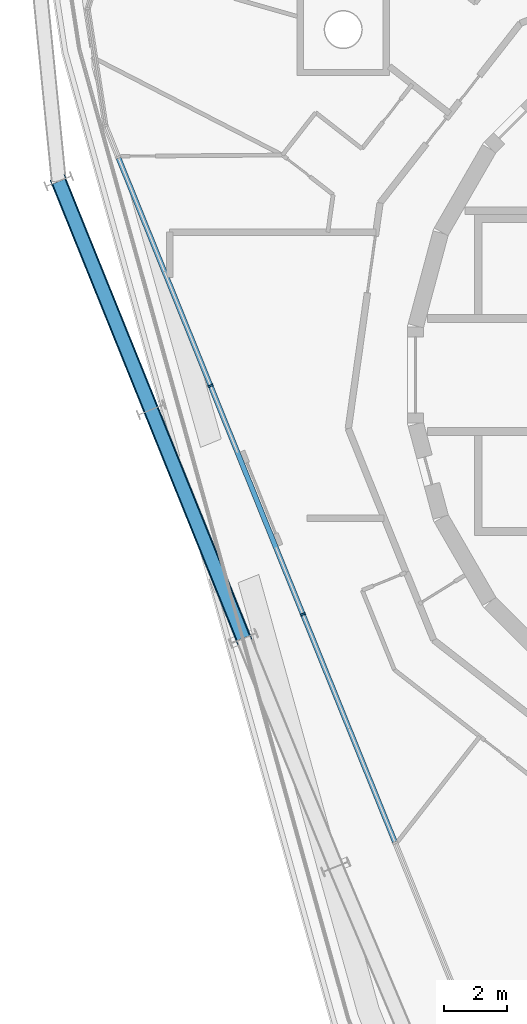
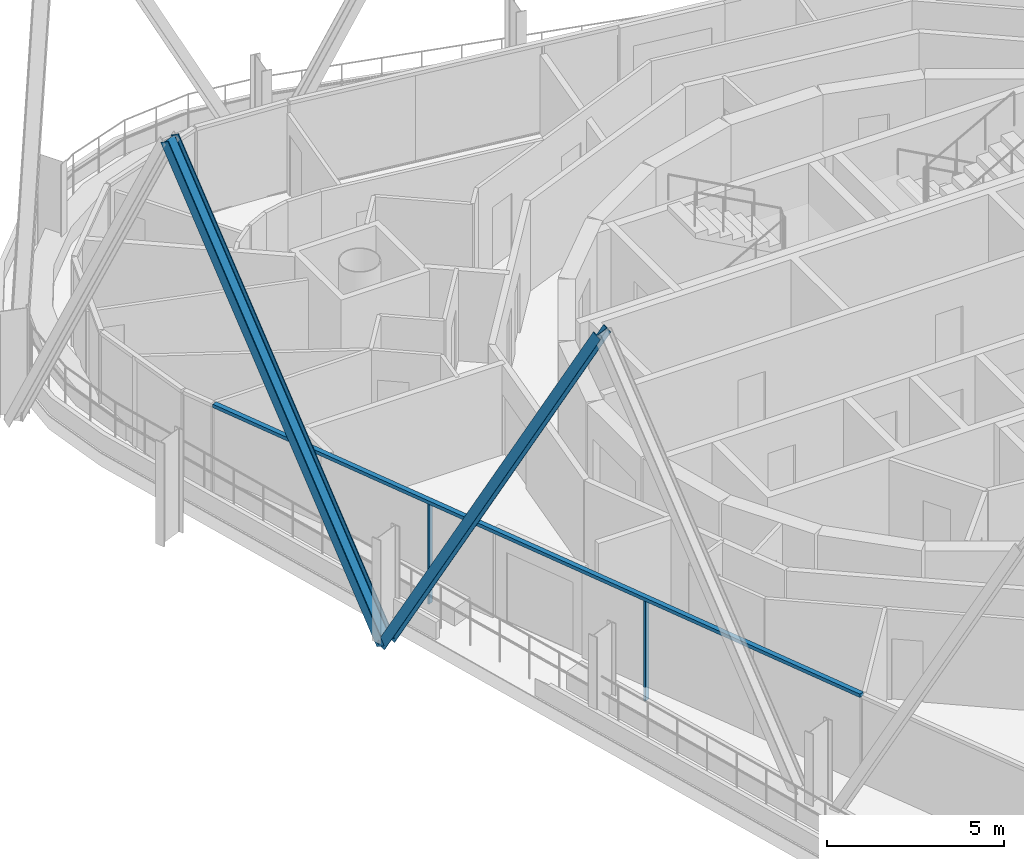
# One storey, part 3 of 17: 5 members, 1 element without a shape of its own.
"""IFC4 building model written with IfcOpenShell, lengths in metres."""

from ifc_helpers import new_model, si_unit, direction, frame, origin, origin_2d, place, context, subcontext, project, spatial, rectangle, i_section, extrude, material, layer, layer_set, material_profile, profile_set, type_object, element, aggregate, save


model = new_model("IFC4")

# Units and contexts
model_context = context("Model", 3, precision=1e-05, world=origin(), true_north=direction((0.0, 1.0)))
body_context = subcontext(model_context, "Body", "Model", "MODEL_VIEW")
ifc_project = project(units=[si_unit("LENGTHUNIT", "METRE"), si_unit("AREAUNIT", "SQUARE_METRE"), si_unit("VOLUMEUNIT", "CUBIC_METRE"), si_unit("PLANEANGLEUNIT", "RADIAN"), si_unit("MASSUNIT", "GRAM", prefix="KILO")], contexts=[model_context])

# Site, building, storey
site_placement = place(None, origin())
site = spatial("IfcSite", under=ifc_project, at=site_placement, CompositionType="ELEMENT")
building_placement = place(site_placement, origin())
building = spatial("IfcBuilding", under=site, at=building_placement, Name="Spindle Arch Residences", CompositionType="ELEMENT")
storey_placement = place(building_placement, frame((0.0, 0.0, 333.0)))
storey = spatial("IfcBuildingStorey", under=building, at=storey_placement, Name="L85", CompositionType="ELEMENT", Elevation=333.0)

# Curtain wall, members
ifc_material_1 = material(Name="Aluminium bronze unitised frame with tinted glass", Category="aluminium")
ifc_layer = layer(ifc_material_1, 0.159912109375)
ifc_layer_set = layer_set([ifc_layer], Name="CW-C typical residential unitised wall")
curtain_wall_type = type_object("IfcCurtainWallType", Name="CW-C typical residential unitised wall", PredefinedType="NOTDEFINED", material=ifc_layer_set)
curtain_wall_placement = place(storey_placement, origin())
curtain_wall = element("IfcCurtainWall", 1, at=curtain_wall_placement, inside=storey, type_object=curtain_wall_type, Name="CW-C L85 run 4", PredefinedType="NOTDEFINED")
ifc_material_2 = material(Name="Aluminium bronze anodised mullion", Category="aluminium")
ifc_material_profile_1 = material_profile(ifc_material_2, rectangle(XDim=0.159912109375, YDim=0.06005859375, at=origin_2d()), Name="MU 60x160")
ifc_profile_set_1 = profile_set([ifc_material_profile_1], Name="Aluminium bronze anodised mullion")
member_type_1 = type_object("IfcMemberType", Name="Bronze mullion 60x160", PredefinedType="MULLION", material=ifc_profile_set_1)
member_1_placement = place(storey_placement, frame((-18.110595703125, -0.337646484375, -0.449951171875), z_axis=(0.0, 0.0, 1.0), x_axis=(0.927183854567, 0.374606593416, 0.0)))
member_1 = element("IfcMember", 2, at=member_1_placement, type_object=member_type_1, Name="CW-C mullion 12", PredefinedType="MULLION", context=body_context, shape_type="SweptSolid", body=[
    extrude(rectangle(XDim=0.159912109375, YDim=0.06005859375, at=origin_2d()), origin(), (0.0, 0.0, 1.0), 3.449951171875),
])
member_2_placement = place(storey_placement, frame((-15.20166015625, -7.537841796875, -0.449951171875), z_axis=(0.0, 0.0, 1.0), x_axis=(0.927183854567, 0.374606593416, 0.0)))
member_2 = element("IfcMember", 3, at=member_2_placement, type_object=member_type_1, Name="CW-C mullion 13", PredefinedType="MULLION", context=body_context, shape_type="SweptSolid", body=[
    extrude(rectangle(XDim=0.159912109375, YDim=0.06005859375, at=origin_2d()), origin(), (0.0, 0.0, 1.0), 3.449951171875),
])
ifc_material_3 = material(Name="Aluminium bronze anodised transom", Category="aluminium")
ifc_material_profile_2 = material_profile(ifc_material_3, rectangle(XDim=0.159912109375, YDim=0.1201171875, at=origin_2d()), Name="TR 120x160")
ifc_profile_set_2 = profile_set([ifc_material_profile_2], Name="Aluminium bronze anodised transom")
member_type_2 = type_object("IfcMemberType", Name="Bronze transom 120x160", PredefinedType="USERDEFINED", material=ifc_profile_set_2)
member_3_placement = place(storey_placement, frame((-21.008544921875, 6.834716796875, 3.06005859375), z_axis=(0.374602019708, -0.927185702452, 0.0), x_axis=(0.927185702452, 0.374602019708, 0.0)))
member_3 = element("IfcMember", 4, at=member_3_placement, type_object=member_type_2, Name="CW-C transom 00", ObjectType="TRANSOM", PredefinedType="USERDEFINED", context=body_context, shape_type="SweptSolid", body=[
    extrude(rectangle(XDim=0.159912109375, YDim=0.1201171875, at=origin_2d()), origin(), (0.0, 0.0, 1.0), 23.23681640625),
])
aggregate(curtain_wall, [member_3, member_1, member_2])

# Members
ifc_material_4 = material(Name="Steel S460ML, intumescent coating R 240", Category="steel")
ifc_material_profile_3 = material_profile(ifc_material_4, i_section(OverallWidth=0.300048828125, OverallDepth=0.5, WebThickness=0.014404296875, FlangeThickness=0.028076171875, FilletRadius=0.027099609375, at=origin_2d()), Name="HEB 500")
ifc_profile_set_3 = profile_set([ifc_material_profile_3], Name="Steel S460ML, intumescent coating R 240")
member_type_3 = type_object("IfcMemberType", Name="Diagrid diagonal HEB 500", PredefinedType="BRACE", material=ifc_profile_set_3)
for number, where, z_axis, x_axis, name in (
    (5, (-19.983642578125, -1.094482421875, -0.699951171875), (-0.181007187698, 0.448028869458, 0.875503586591), (0.327956604134, -0.811757966354, 0.483211620169), "Diagrid diagonal 9.1.12"),
    (6, (-19.983642578125, -1.094482421875, -0.699951171875), (0.18100841967, -0.448016727191, 0.875509545445), (-0.327968396407, 0.811759628908, 0.483200823503), "Diagrid diagonal 9.1.13"),
):
    element("IfcMember", number, at=place(storey_placement, frame(where, z_axis=z_axis, x_axis=x_axis)), inside=storey, type_object=member_type_3, Name=name, PredefinedType="BRACE", context=body_context, shape_type="SweptSolid", body=[
        extrude(i_section(OverallWidth=0.300048828125, OverallDepth=0.5, WebThickness=0.014404296875, FlangeThickness=0.028076171875, FilletRadius=0.027099609375, at=origin_2d()), origin(), (0.0, 0.0, 1.0), 16.07080078125),
    ])

save(model, "model.ifc")
